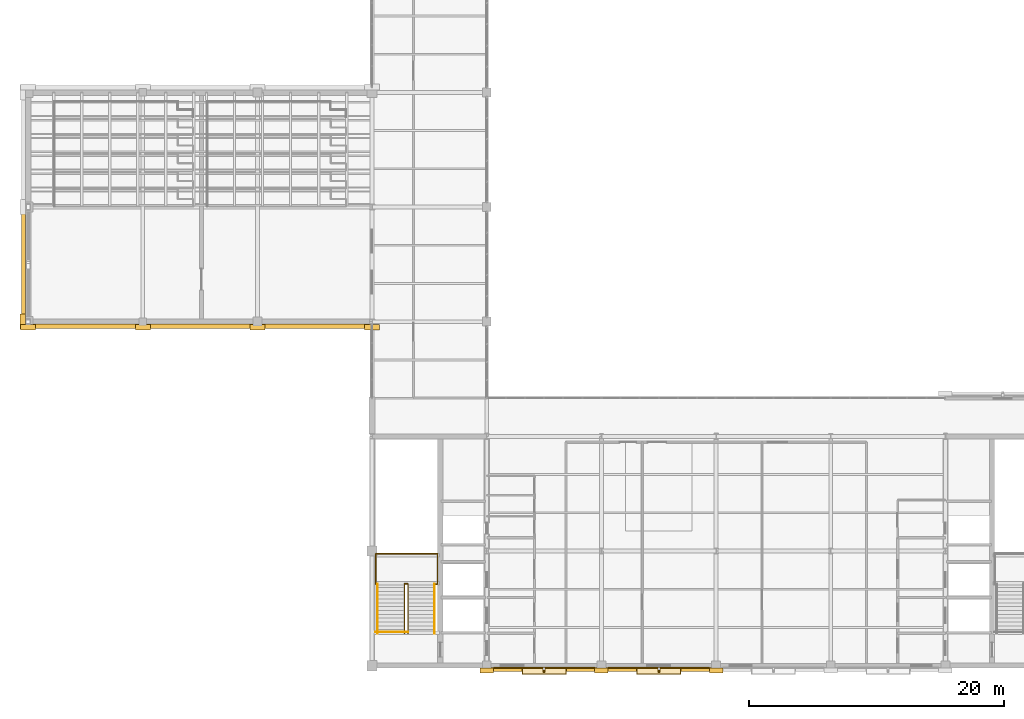
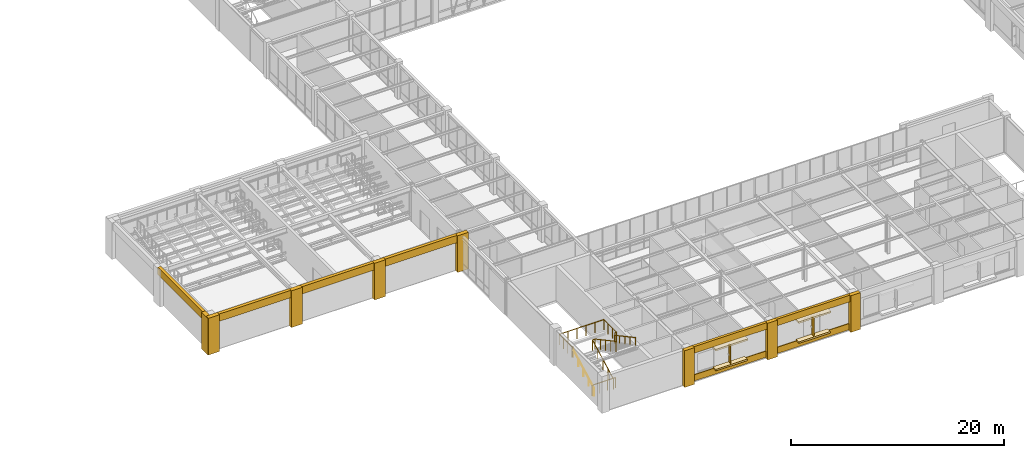
# One storey, part 122 of 130: 20 coverings, 5 railings, 2 shading devices.
"""IFC4 building model written with IfcOpenShell, lengths in metres."""

from ifc_helpers import new_model, si_unit, direction, frame, origin, origin_2d, place, context, subcontext, project, spatial, rectangle, circle, extrude, material, layer, layer_set, type_object, element, save


model = new_model("IFC4")

# Units and contexts
model_context = context("Model", 3, precision=1e-05, world=origin(), true_north=direction((0.0, 1.0)))
body_context = subcontext(model_context, "Body", "Model", "MODEL_VIEW")
ifc_project = project(units=[si_unit("LENGTHUNIT", "METRE"), si_unit("AREAUNIT", "SQUARE_METRE"), si_unit("VOLUMEUNIT", "CUBIC_METRE"), si_unit("PLANEANGLEUNIT", "RADIAN"), si_unit("MASSUNIT", "GRAM", prefix="KILO")], contexts=[model_context])

# Site, building, storey
site_placement = place(None, origin())
site = spatial("IfcSite", under=ifc_project, at=site_placement, CompositionType="ELEMENT")
building_placement = place(site_placement, origin())
building = spatial("IfcBuilding", under=site, at=building_placement, Name="Lykobir Media Centre", CompositionType="ELEMENT")
storey_placement = place(building_placement, frame((0.0, 0.0, 19.199951171875)))
storey = spatial("IfcBuildingStorey", under=building, at=storey_placement, Name="L04", CompositionType="ELEMENT", Elevation=19.199951171875)

# Coverings
ifc_material_1 = material(Name="Glazed Turquoise Terracotta", Category="masonry")
ifc_layer_1 = layer(ifc_material_1, 0.0400390625, Name="Glazed Turquoise Terracotta")
ifc_layer_set_1 = layer_set([ifc_layer_1], Name="Glazed Turquoise Terracotta")
covering_type_1 = type_object("IfcCoveringType", Name="CLD-TERR", PredefinedType="CLADDING", material=ifc_layer_set_1)
for number, where, z_axis, x_axis, name in (
    (1, (40.5, -0.1708984375, 0.080078125), (0.0, 0.0, 1.0), (1.0, 0.0, 0.0), "Facade spandrel apron 603"),
    (2, (49.5, -0.1708984375, 0.080078125), (0.0, 0.0, 1.0), (1.0, 0.0, 0.0), "Facade spandrel apron 608"),
):
    element("IfcCovering", number, at=place(storey_placement, frame(where, z_axis=z_axis, x_axis=x_axis)), inside=storey, type_object=covering_type_1, Name=name, PredefinedType="CLADDING", context=body_context, shape_type="SweptSolid", body=[
        extrude(rectangle(XDim=7.929931640625, YDim=0.10009765625, at=origin_2d()), origin(), (0.0, 0.0, 1.0), 0.719970703125),
    ])
ifc_material_2 = material(Name="Honed Travertine Stone", Category="masonry")
ifc_layer_2 = layer(ifc_material_2, 0.050048828125, Name="Honed Travertine Stone")
ifc_layer_set_2 = layer_set([ifc_layer_2], Name="Honed Travertine Stone")
covering_type_2 = type_object("IfcCoveringType", Name="CLD-TRAV", PredefinedType="CLADDING", material=ifc_layer_set_2)
covering_1_placement = place(storey_placement, frame((4.5, 26.639892578125, 3.35986328125), z_axis=(0.0, 0.0, 1.0), x_axis=(1.0, 0.0, 0.0)))
element("IfcCovering", 3, at=covering_1_placement, inside=storey, type_object=covering_type_2, Name="Acoustic hall cornice band 593", PredefinedType="CLADDING", context=body_context, shape_type="SweptSolid", body=[
    extrude(rectangle(XDim=9.0, YDim=0.340087890625, at=origin_2d()), origin(), (0.0, 0.0, 1.0), 0.840087890625),
])
for number, where, z_axis, x_axis, name in (
    (4, (0.0, 26.580078125, 0.0), (0.0, 0.0, 1.0), (1.0, 0.0, 0.0), "Stone pilaster 594"),
    (5, (9.0, 26.580078125, 0.0), (0.0, 0.0, 1.0), (1.0, 0.0, 0.0), "Stone pilaster 595"),
):
    element("IfcCovering", number, at=place(storey_placement, frame(where, z_axis=z_axis, x_axis=x_axis)), inside=storey, type_object=covering_type_2, Name=name, PredefinedType="CLADDING", context=body_context, shape_type="SweptSolid", body=[
        extrude(rectangle(XDim=1.179931640625, YDim=0.43994140625, at=origin_2d()), origin(), (0.0, 0.0, 1.0), 4.199951171875),
    ])
covering_2_placement = place(storey_placement, frame((13.5, 26.639892578125, 3.35986328125), z_axis=(0.0, 0.0, 1.0), x_axis=(1.0, 0.0, 0.0)))
element("IfcCovering", 6, at=covering_2_placement, inside=storey, type_object=covering_type_2, Name="Acoustic hall cornice band 596", PredefinedType="CLADDING", context=body_context, shape_type="SweptSolid", body=[
    extrude(rectangle(XDim=9.0, YDim=0.340087890625, at=origin_2d()), origin(), (0.0, 0.0, 1.0), 0.840087890625),
])
covering_3_placement = place(storey_placement, frame((18.0, 26.580078125, 0.0), z_axis=(0.0, 0.0, 1.0), x_axis=(1.0, 0.0, 0.0)))
element("IfcCovering", 7, at=covering_3_placement, inside=storey, type_object=covering_type_2, Name="Stone pilaster 597", PredefinedType="CLADDING", context=body_context, shape_type="SweptSolid", body=[
    extrude(rectangle(XDim=1.179931640625, YDim=0.43994140625, at=origin_2d()), origin(), (0.0, 0.0, 1.0), 4.199951171875),
])
covering_4_placement = place(storey_placement, frame((22.5, 26.639892578125, 3.35986328125), z_axis=(0.0, 0.0, 1.0), x_axis=(1.0, 0.0, 0.0)))
element("IfcCovering", 8, at=covering_4_placement, inside=storey, type_object=covering_type_2, Name="Acoustic hall cornice band 598", PredefinedType="CLADDING", context=body_context, shape_type="SweptSolid", body=[
    extrude(rectangle(XDim=9.0, YDim=0.340087890625, at=origin_2d()), origin(), (0.0, 0.0, 1.0), 0.840087890625),
])
covering_5_placement = place(storey_placement, frame((27.0, 26.580078125, 0.0), z_axis=(0.0, 0.0, 1.0), x_axis=(1.0, 0.0, 0.0)))
element("IfcCovering", 9, at=covering_5_placement, inside=storey, type_object=covering_type_2, Name="Stone pilaster 599", PredefinedType="CLADDING", context=body_context, shape_type="SweptSolid", body=[
    extrude(rectangle(XDim=1.179931640625, YDim=0.43994140625, at=origin_2d()), origin(), (0.0, 0.0, 1.0), 4.199951171875),
])
for number, where, z_axis, x_axis, name in (
    (10, (36.0, -0.3798828125, 0.0), (0.0, 0.0, 1.0), (1.0, 0.0, 0.0), "Travertine column pier 600"),
    (11, (45.0, -0.3798828125, 0.0), (0.0, 0.0, 1.0), (1.0, 0.0, 0.0), "Travertine column pier 601"),
):
    element("IfcCovering", number, at=place(storey_placement, frame(where, z_axis=z_axis, x_axis=x_axis)), inside=storey, type_object=covering_type_2, Name=name, PredefinedType="CLADDING", context=body_context, shape_type="SweptSolid", body=[
        extrude(rectangle(XDim=1.06005859375, YDim=0.39990234375, at=origin_2d()), origin(), (0.0, 0.0, 1.0), 4.199951171875),
    ])
covering_6_placement = place(storey_placement, frame((40.5, -0.300048828125, 3.43994140625), z_axis=(0.0, 0.0, 1.0), x_axis=(1.0, 0.0, 0.0)))
element("IfcCovering", 12, at=covering_6_placement, inside=storey, type_object=covering_type_2, Name="Travertine spandrel stringcourse 602", PredefinedType="CLADDING", context=body_context, shape_type="SweptSolid", body=[
    extrude(rectangle(XDim=9.0, YDim=0.280029296875, at=origin_2d()), origin(), (0.0, 0.0, 1.0), 0.760009765625),
])
covering_7_placement = place(storey_placement, frame((40.5, -0.405029296875, 0.77001953125), z_axis=(0.0, 0.0, 1.0), x_axis=(1.0, 0.0, 0.0)))
element("IfcCovering", 13, at=covering_7_placement, inside=storey, type_object=covering_type_2, Name="Ottoman Cumba sill 604", PredefinedType="CLADDING", context=body_context, shape_type="SweptSolid", body=[
    extrude(rectangle(XDim=3.39990234375, YDim=0.52001953125, at=origin_2d()), origin(), (0.0, 0.0, 1.0), 0.179931640625),
])
covering_8_placement = place(storey_placement, frame((40.5, -0.405029296875, 3.08984375), z_axis=(0.0, 0.0, 1.0), x_axis=(1.0, 0.0, 0.0)))
element("IfcCovering", 14, at=covering_8_placement, inside=storey, type_object=covering_type_2, Name="Ottoman Cumba canopy 605", PredefinedType="CLADDING", context=body_context, shape_type="SweptSolid", body=[
    extrude(rectangle(XDim=3.5, YDim=0.60009765625, at=origin_2d()), origin(), (0.0, 0.0, 1.0), 0.179931640625),
])
covering_9_placement = place(storey_placement, frame((54.0, -0.3798828125, 0.0), z_axis=(0.0, 0.0, 1.0), x_axis=(1.0, 0.0, 0.0)))
element("IfcCovering", 15, at=covering_9_placement, inside=storey, type_object=covering_type_2, Name="Travertine column pier 606", PredefinedType="CLADDING", context=body_context, shape_type="SweptSolid", body=[
    extrude(rectangle(XDim=1.06005859375, YDim=0.39990234375, at=origin_2d()), origin(), (0.0, 0.0, 1.0), 4.199951171875),
])
covering_10_placement = place(storey_placement, frame((49.5, -0.300048828125, 3.43994140625), z_axis=(0.0, 0.0, 1.0), x_axis=(1.0, 0.0, 0.0)))
element("IfcCovering", 16, at=covering_10_placement, inside=storey, type_object=covering_type_2, Name="Travertine spandrel stringcourse 607", PredefinedType="CLADDING", context=body_context, shape_type="SweptSolid", body=[
    extrude(rectangle(XDim=9.0, YDim=0.280029296875, at=origin_2d()), origin(), (0.0, 0.0, 1.0), 0.760009765625),
])
covering_11_placement = place(storey_placement, frame((49.5, -0.405029296875, 0.77001953125), z_axis=(0.0, 0.0, 1.0), x_axis=(1.0, 0.0, 0.0)))
element("IfcCovering", 17, at=covering_11_placement, inside=storey, type_object=covering_type_2, Name="Ottoman Cumba sill 609", PredefinedType="CLADDING", context=body_context, shape_type="SweptSolid", body=[
    extrude(rectangle(XDim=3.39990234375, YDim=0.52001953125, at=origin_2d()), origin(), (0.0, 0.0, 1.0), 0.179931640625),
])
covering_12_placement = place(storey_placement, frame((49.5, -0.405029296875, 3.08984375), z_axis=(0.0, 0.0, 1.0), x_axis=(1.0, 0.0, 0.0)))
element("IfcCovering", 18, at=covering_12_placement, inside=storey, type_object=covering_type_2, Name="Ottoman Cumba canopy 610", PredefinedType="CLADDING", context=body_context, shape_type="SweptSolid", body=[
    extrude(rectangle(XDim=3.5, YDim=0.60009765625, at=origin_2d()), origin(), (0.0, 0.0, 1.0), 0.179931640625),
])
covering_13_placement = place(storey_placement, frame((-0.360107421875, 31.5, 3.35986328125), z_axis=(0.0, 0.0, 1.0), x_axis=(0.0, -1.0, 0.0)))
element("IfcCovering", 19, at=covering_13_placement, inside=storey, type_object=covering_type_2, Name="Acoustic hall cornice band 663", PredefinedType="CLADDING", context=body_context, shape_type="SweptSolid", body=[
    extrude(rectangle(XDim=9.0, YDim=0.340087890625, at=origin_2d()), origin(), (0.0, 0.0, 1.0), 0.840087890625),
])
covering_14_placement = place(storey_placement, frame((-0.419921875, 27.0, 0.0), z_axis=(0.0, 0.0, 1.0), x_axis=(0.0, -1.0, 0.0)))
element("IfcCovering", 20, at=covering_14_placement, inside=storey, type_object=covering_type_2, Name="Stone pilaster 665", PredefinedType="CLADDING", context=body_context, shape_type="SweptSolid", body=[
    extrude(rectangle(XDim=1.179931640625, YDim=0.43994140625, at=origin_2d()), origin(), (0.0, 0.0, 1.0), 4.199951171875),
])

# Railings
ifc_material_3 = material(Name="Steel S355", Category="steel")
railing_type_1 = type_object("IfcRailingType", Name="GR-1200", PredefinedType="BALUSTRADE", material=ifc_material_3)
railing_1_placement = place(storey_placement, frame((27.27001953125, 2.6298828125, 0.0)))
element("IfcRailing", 21, at=railing_1_placement, inside=storey, type_object=railing_type_1, Name="ST-1 L04 arrival well guard", PredefinedType="BALUSTRADE", context=body_context, shape_type="SweptSolid", body=[
    extrude(circle(Radius=0.02392578125, at=origin_2d()), frame((0.0, 0.0, 1.17578125), z_axis=(1.0, 0.0, 0.0), x_axis=(0.0, 1.0, 0.0)), (0.0, 0.0, 1.0), 2.5400390625),
    extrude(circle(Radius=0.02099609375, at=origin_2d()), origin(), (0.0, 0.0, 1.0), 1.15185546875),
    extrude(circle(Radius=0.02099609375, at=origin_2d()), frame((0.8466796875, 0.0, 0.0)), (0.0, 0.0, 1.0), 1.15185546875),
    extrude(circle(Radius=0.02099609375, at=origin_2d()), frame((1.693359375, 0.0, 0.0)), (0.0, 0.0, 1.0), 1.15185546875),
    extrude(circle(Radius=0.02099609375, at=origin_2d()), frame((2.5400390625, 0.0, 0.0)), (0.0, 0.0, 1.0), 1.15185546875),
])
railing_2_placement = place(storey_placement, frame((29.530029296875, 2.530029296875, 0.0)))
element("IfcRailing", 22, at=railing_2_placement, inside=storey, type_object=railing_type_1, Name="ST-1 L04 inner well and slot guard", PredefinedType="BALUSTRADE", context=body_context, shape_type="SweptSolid", body=[
    extrude(circle(Radius=0.02392578125, at=origin_2d()), frame((0.0, 0.0, 1.17578125), z_axis=(0.0, 0.880456940745, 0.474126117709), x_axis=(-1.0, 0.0, 0.0)), (0.0, 0.0, 1.0), 4.429443359375),
    extrude(circle(Radius=0.02392578125, at=origin_2d()), frame((0.0, 3.89990234375, 3.27587890625), z_axis=(1.0, 0.0, 0.0), x_axis=(0.0, 1.0, 0.0)), (0.0, 0.0, 1.0), 0.280029296875),
    extrude(circle(Radius=0.02392578125, at=origin_2d()), frame((0.280029296875, 3.89990234375, 3.27587890625), z_axis=(0.0, -0.88047994924, 0.474083388219), x_axis=(1.0, 0.0, 0.0)), (0.0, 0.0, 1.0), 4.42919921875),
    extrude(circle(Radius=0.02099609375, at=origin_2d()), origin(), (0.0, 0.0, 1.0), 1.15185546875),
    extrude(circle(Radius=0.02099609375, at=origin_2d()), frame((0.0, 0.97509765625, 0.52490234375)), (0.0, 0.0, 1.0), 1.15185546875),
    extrude(circle(Radius=0.02099609375, at=origin_2d()), frame((0.0, 1.949951171875, 1.050048828125)), (0.0, 0.0, 1.0), 1.15185546875),
    extrude(circle(Radius=0.02099609375, at=origin_2d()), frame((0.0, 2.9248046875, 1.5751953125)), (0.0, 0.0, 1.0), 1.15185546875),
    extrude(circle(Radius=0.02099609375, at=origin_2d()), frame((0.0, 3.89990234375, 2.10009765625)), (0.0, 0.0, 1.0), 1.15185546875),
    extrude(circle(Radius=0.02099609375, at=origin_2d()), frame((0.280029296875, 3.89990234375, 2.10009765625)), (0.0, 0.0, 1.0), 1.15185546875),
    extrude(circle(Radius=0.02099609375, at=origin_2d()), frame((0.280029296875, 2.9248046875, 2.625)), (0.0, 0.0, 1.0), 1.15185546875),
    extrude(circle(Radius=0.02099609375, at=origin_2d()), frame((0.280029296875, 1.949951171875, 3.14990234375)), (0.0, 0.0, 1.0), 1.15185546875),
    extrude(circle(Radius=0.02099609375, at=origin_2d()), frame((0.280029296875, 0.97509765625, 3.675048828125)), (0.0, 0.0, 1.0), 1.15185546875),
    extrude(circle(Radius=0.02099609375, at=origin_2d()), frame((0.280029296875, 0.0, 4.199951171875)), (0.0, 0.0, 1.0), 1.15185546875),
])
railing_3_placement = place(storey_placement, frame((27.389892578125, 6.389892578125, 2.10009765625)))
element("IfcRailing", 23, at=railing_3_placement, inside=storey, type_object=railing_type_1, Name="ST-1 L04 half-landing perimeter guard", PredefinedType="BALUSTRADE", context=body_context, shape_type="SweptSolid", body=[
    extrude(circle(Radius=0.02392578125, at=origin_2d()), frame((0.0, 0.0, 1.17578125), z_axis=(-1.0, 0.0, 0.0), x_axis=(0.0, -1.0, 0.0)), (0.0, 0.0, 1.0), 0.10986328125),
    extrude(circle(Radius=0.02392578125, at=origin_2d()), frame((-0.10986328125, 0.0, 1.17578125), z_axis=(0.0, 1.0, 0.0), x_axis=(-1.0, 0.0, 0.0)), (0.0, 0.0, 1.0), 2.400146484375),
    extrude(circle(Radius=0.02392578125, at=origin_2d()), frame((-0.10986328125, 2.400146484375, 1.17578125), z_axis=(1.0, 0.0, 0.0), x_axis=(0.0, 1.0, 0.0)), (0.0, 0.0, 1.0), 4.840087890625),
    extrude(circle(Radius=0.02392578125, at=origin_2d()), frame((4.730224609375, 2.400146484375, 1.17578125), z_axis=(0.0, -1.0, 0.0), x_axis=(1.0, 0.0, 0.0)), (0.0, 0.0, 1.0), 2.400146484375),
    extrude(circle(Radius=0.02392578125, at=origin_2d()), frame((4.730224609375, 0.0, 1.17578125), z_axis=(-1.0, 0.0, 0.0), x_axis=(0.0, -1.0, 0.0)), (0.0, 0.0, 1.0), 0.170166015625),
    extrude(circle(Radius=0.02099609375, at=origin_2d()), origin(), (0.0, 0.0, 1.0), 1.15185546875),
    extrude(circle(Radius=0.02099609375, at=origin_2d()), frame((-0.10986328125, 0.0, 0.0)), (0.0, 0.0, 1.0), 1.15185546875),
    extrude(circle(Radius=0.02099609375, at=origin_2d()), frame((-0.10986328125, 0.800048828125, 0.0)), (0.0, 0.0, 1.0), 1.15185546875),
    extrude(circle(Radius=0.02099609375, at=origin_2d()), frame((-0.10986328125, 1.60009765625, 0.0)), (0.0, 0.0, 1.0), 1.15185546875),
    extrude(circle(Radius=0.02099609375, at=origin_2d()), frame((-0.10986328125, 2.400146484375, 0.0)), (0.0, 0.0, 1.0), 1.15185546875),
    extrude(circle(Radius=0.02099609375, at=origin_2d()), frame((0.858154296875, 2.400146484375, 0.0)), (0.0, 0.0, 1.0), 1.15185546875),
    extrude(circle(Radius=0.02099609375, at=origin_2d()), frame((1.826171875, 2.400146484375, 0.0)), (0.0, 0.0, 1.0), 1.15185546875),
    extrude(circle(Radius=0.02099609375, at=origin_2d()), frame((2.794189453125, 2.400146484375, 0.0)), (0.0, 0.0, 1.0), 1.15185546875),
    extrude(circle(Radius=0.02099609375, at=origin_2d()), frame((3.76220703125, 2.400146484375, 0.0)), (0.0, 0.0, 1.0), 1.15185546875),
    extrude(circle(Radius=0.02099609375, at=origin_2d()), frame((4.730224609375, 2.400146484375, 0.0)), (0.0, 0.0, 1.0), 1.15185546875),
    extrude(circle(Radius=0.02099609375, at=origin_2d()), frame((4.730224609375, 1.60009765625, 0.0)), (0.0, 0.0, 1.0), 1.15185546875),
    extrude(circle(Radius=0.02099609375, at=origin_2d()), frame((4.730224609375, 0.800048828125, 0.0)), (0.0, 0.0, 1.0), 1.15185546875),
    extrude(circle(Radius=0.02099609375, at=origin_2d()), frame((4.730224609375, 0.0, 0.0)), (0.0, 0.0, 1.0), 1.15185546875),
    extrude(circle(Radius=0.02099609375, at=origin_2d()), frame((4.56005859375, 0.0, 0.0)), (0.0, 0.0, 1.0), 1.15185546875),
])
railing_type_2 = type_object("IfcRailingType", Name="HR-0900", PredefinedType="HANDRAIL", material=ifc_material_3)
railing_4_placement = place(storey_placement, frame((27.429931640625, 2.530029296875, 0.0)))
element("IfcRailing", 24, at=railing_4_placement, inside=storey, type_object=railing_type_2, Name="ST-1 L04 F1 wall handrail", PredefinedType="HANDRAIL", context=body_context, shape_type="SweptSolid", body=[
    extrude(circle(Radius=0.02392578125, at=origin_2d()), frame((0.0, 0.0, 0.8759765625), z_axis=(0.0, 0.880456940745, 0.474126117709), x_axis=(-1.0, 0.0, 0.0)), (0.0, 0.0, 1.0), 4.429443359375),
    extrude(circle(Radius=0.02099609375, at=origin_2d()), origin(), (0.0, 0.0, 1.0), 0.851806640625),
    extrude(circle(Radius=0.02099609375, at=origin_2d()), frame((0.0, 0.97509765625, 0.52490234375)), (0.0, 0.0, 1.0), 0.851806640625),
    extrude(circle(Radius=0.02099609375, at=origin_2d()), frame((0.0, 1.949951171875, 1.050048828125)), (0.0, 0.0, 1.0), 0.851806640625),
    extrude(circle(Radius=0.02099609375, at=origin_2d()), frame((0.0, 2.9248046875, 1.5751953125)), (0.0, 0.0, 1.0), 0.851806640625),
    extrude(circle(Radius=0.02099609375, at=origin_2d()), frame((0.0, 3.89990234375, 2.10009765625)), (0.0, 0.0, 1.0), 0.851806640625),
])
railing_5_placement = place(storey_placement, frame((31.909912109375, 6.429931640625, 2.10009765625)))
element("IfcRailing", 25, at=railing_5_placement, inside=storey, type_object=railing_type_2, Name="ST-1 L04 F2 wall handrail", PredefinedType="HANDRAIL", context=body_context, shape_type="SweptSolid", body=[
    extrude(circle(Radius=0.02392578125, at=origin_2d()), frame((0.0, 0.0, 0.8759765625), z_axis=(0.0, -0.88047994924, 0.474083388219), x_axis=(1.0, 0.0, 0.0)), (0.0, 0.0, 1.0), 4.42919921875),
    extrude(circle(Radius=0.02099609375, at=origin_2d()), origin(), (0.0, 0.0, 1.0), 0.851806640625),
    extrude(circle(Radius=0.02099609375, at=origin_2d()), frame((0.0, -0.97509765625, 0.52490234375)), (0.0, 0.0, 1.0), 0.851806640625),
    extrude(circle(Radius=0.02099609375, at=origin_2d()), frame((0.0, -1.949951171875, 1.0498046875)), (0.0, 0.0, 1.0), 0.851806640625),
    extrude(circle(Radius=0.02099609375, at=origin_2d()), frame((0.0, -2.9248046875, 1.574951171875)), (0.0, 0.0, 1.0), 0.851806640625),
    extrude(circle(Radius=0.02099609375, at=origin_2d()), frame((0.0, -3.89990234375, 2.099853515625)), (0.0, 0.0, 1.0), 0.851806640625),
])

# Shading devices
shading_device_type = type_object("IfcShadingDeviceType", Name="SHD-FIN", PredefinedType="USERDEFINED", material=ifc_material_1)
for number, where, z_axis, x_axis, name in (
    (26, (40.5, -0.324951171875, 0.72509765625), (0.0, 0.0, 1.0), (1.0, 0.0, 0.0), "Terracotta shading fin 51"),
    (27, (49.5, -0.324951171875, 0.72509765625), (0.0, 0.0, 1.0), (1.0, 0.0, 0.0), "Terracotta shading fin 52"),
):
    element("IfcShadingDevice", number, at=place(storey_placement, frame(where, z_axis=z_axis, x_axis=x_axis)), inside=storey, type_object=shading_device_type, Name=name, ObjectType="FIN", PredefinedType="USERDEFINED", context=body_context, shape_type="SweptSolid", body=[
        extrude(rectangle(XDim=0.1201171875, YDim=0.35009765625, at=origin_2d()), origin(), (0.0, 0.0, 1.0), 2.25),
    ])

save(model, "model.ifc")
